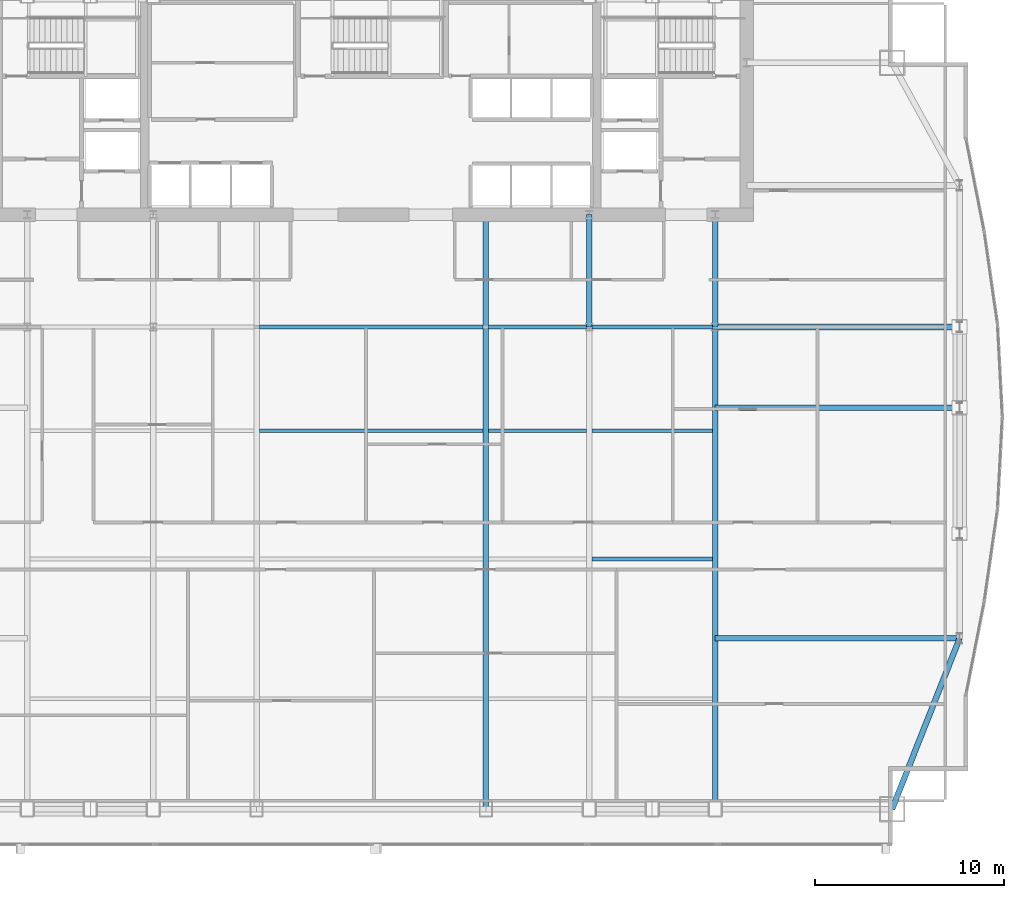
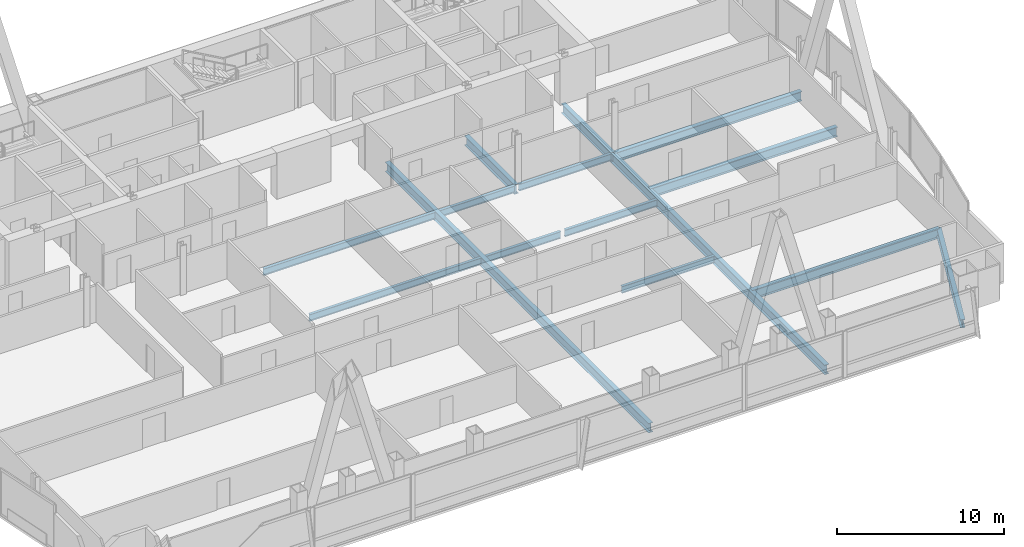
# One storey, part 17 of 31: 15 beams.
"""IFC4 building model written with IfcOpenShell, lengths in metres."""

from ifc_helpers import new_model, si_unit, direction, frame, origin, origin_2d, place, context, subcontext, project, spatial, i_section, extrude, material, material_profile, profile_set, type_object, element, save


model = new_model("IFC4")

# Units and contexts
model_context = context("Model", 3, precision=1e-05, world=origin(), true_north=direction((0.0, 1.0)))
body_context = subcontext(model_context, "Body", "Model", "MODEL_VIEW")
ifc_project = project(units=[si_unit("LENGTHUNIT", "METRE"), si_unit("AREAUNIT", "SQUARE_METRE"), si_unit("VOLUMEUNIT", "CUBIC_METRE"), si_unit("PLANEANGLEUNIT", "RADIAN"), si_unit("MASSUNIT", "GRAM", prefix="KILO")], contexts=[model_context])

# Site, building, storey
site_placement = place(None, origin())
site = spatial("IfcSite", under=ifc_project, at=site_placement, CompositionType="ELEMENT")
building_placement = place(site_placement, origin())
building = spatial("IfcBuilding", under=site, at=building_placement, Name="Khoronbel Lancet Exchange", CompositionType="ELEMENT")
storey_placement = place(building_placement, frame((0.0, 0.0, 168.60009765625)))
storey = spatial("IfcBuildingStorey", under=building, at=storey_placement, Name="L42", CompositionType="ELEMENT", Elevation=168.60009765625)

# Beams
ifc_material = material(Name="Steel S355", Category="steel")
ifc_material_profile_1 = material_profile(ifc_material, i_section(OverallWidth=0.300048828125, OverallDepth=0.699951171875, WebThickness=0.01708984375, FlangeThickness=0.031982421875, at=origin_2d()), Name="HEB 700")
ifc_profile_set_1 = profile_set([ifc_material_profile_1], Name="Steel S355")
beam_type_1 = type_object("IfcBeamType", Name="BM-BG3", PredefinedType="BEAM", material=ifc_profile_set_1)
beam_1_placement = place(storey_placement, frame((42.52490234375, 10.14990234375, -0.510009765625), z_axis=(0.0, 1.0, 0.0), x_axis=(-1.0, 0.0, 0.0)))
element("IfcBeam", 1, at=beam_1_placement, inside=storey, type_object=beam_type_1, Name="Level L42 primary floor girder G4", PredefinedType="BEAM", context=body_context, shape_type="SweptSolid", body=[
    extrude(i_section(OverallWidth=0.300048828125, OverallDepth=0.699951171875, WebThickness=0.01708984375, FlangeThickness=0.031982421875, at=origin_2d()), origin(), (0.0, 0.0, 1.0), 31.5),
])
beam_2_placement = place(storey_placement, frame((48.0, 35.699951171875, -0.510009765625), z_axis=(0.0, 1.0, 0.0), x_axis=(-1.0, 0.0, 0.0)))
element("IfcBeam", 2, at=beam_2_placement, inside=storey, type_object=beam_type_1, Name="Level L42 spine tie girder GN5", PredefinedType="BEAM", context=body_context, shape_type="SweptSolid", body=[
    extrude(i_section(OverallWidth=0.300048828125, OverallDepth=0.699951171875, WebThickness=0.01708984375, FlangeThickness=0.031982421875, at=origin_2d()), origin(), (0.0, 0.0, 1.0), 5.949951171875),
])
beam_3_placement = place(storey_placement, frame((54.675048828125, 10.14990234375, -0.510009765625), z_axis=(0.0, 1.0, 0.0), x_axis=(-1.0, 0.0, 0.0)))
element("IfcBeam", 3, at=beam_3_placement, inside=storey, type_object=beam_type_1, Name="Level L42 south primary girder GS6", PredefinedType="BEAM", context=body_context, shape_type="SweptSolid", body=[
    extrude(i_section(OverallWidth=0.300048828125, OverallDepth=0.699951171875, WebThickness=0.01708984375, FlangeThickness=0.031982421875, at=origin_2d()), origin(), (0.0, 0.0, 1.0), 25.550048828125),
])
beam_4_placement = place(storey_placement, frame((54.675048828125, 35.699951171875, -0.510009765625), z_axis=(0.0, 1.0, 0.0), x_axis=(-1.0, 0.0, 0.0)))
element("IfcBeam", 4, at=beam_4_placement, inside=storey, type_object=beam_type_1, Name="Level L42 spine tie girder GN6", PredefinedType="BEAM", context=body_context, shape_type="SweptSolid", body=[
    extrude(i_section(OverallWidth=0.300048828125, OverallDepth=0.699951171875, WebThickness=0.01708984375, FlangeThickness=0.031982421875, at=origin_2d()), origin(), (0.0, 0.0, 1.0), 5.949951171875),
])
for number, where, z_axis, x_axis, name in (
    (5, (54.675048828125, 19.199951171875, -0.510009765625), (1.0, 0.0, 0.0), (0.0, 1.0, 0.0), "Level L42 east lens tie girder LG1E"),
    (6, (54.675048828125, 31.425048828125, -0.510009765625), (1.0, 0.0, 0.0), (0.0, 1.0, 0.0), "Level L42 east lens tie girder LG2E"),
    (7, (54.675048828125, 35.699951171875, -0.510009765625), (1.0, 0.0, 0.0), (0.0, 1.0, 0.0), "Level L42 east lens tie girder LG4E"),
):
    element("IfcBeam", number, at=place(storey_placement, frame(where, z_axis=z_axis, x_axis=x_axis)), inside=storey, type_object=beam_type_1, Name=name, PredefinedType="BEAM", context=body_context, shape_type="SweptSolid", body=[
        extrude(i_section(OverallWidth=0.300048828125, OverallDepth=0.699951171875, WebThickness=0.01708984375, FlangeThickness=0.031982421875, at=origin_2d()), origin(), (0.0, 0.0, 1.0), 12.954833984375),
    ])
ifc_material_profile_2 = material_profile(ifc_material, i_section(OverallWidth=0.199951171875, OverallDepth=0.5, WebThickness=0.01025390625, FlangeThickness=0.01611328125, at=origin_2d()), Name="IPE 500")
ifc_profile_set_2 = profile_set([ifc_material_profile_2], Name="Steel S355")
beam_type_2 = type_object("IfcBeamType", Name="BM-BJ3", PredefinedType="JOIST", material=ifc_profile_set_2)
beam_5_placement = place(storey_placement, frame((48.14990234375, 23.39990234375, -0.41015625), z_axis=(1.0, 0.0, 0.0), x_axis=(0.0, 1.0, 0.0)))
element("IfcBeam", 8, at=beam_5_placement, inside=storey, type_object=beam_type_2, Name="Level L42 secondary composite joist J10", PredefinedType="JOIST", context=body_context, shape_type="SweptSolid", body=[
    extrude(i_section(OverallWidth=0.199951171875, OverallDepth=0.5, WebThickness=0.01025390625, FlangeThickness=0.01611328125, at=origin_2d()), origin(), (0.0, 0.0, 1.0), 6.375),
])
beam_6_placement = place(storey_placement, frame((30.52490234375, 30.199951171875, -0.41015625), z_axis=(1.0, 0.0, 0.0), x_axis=(0.0, 1.0, 0.0)))
element("IfcBeam", 9, at=beam_6_placement, inside=storey, type_object=beam_type_2, Name="Level L42 secondary composite joist J13", PredefinedType="JOIST", context=body_context, shape_type="SweptSolid", body=[
    extrude(i_section(OverallWidth=0.199951171875, OverallDepth=0.5, WebThickness=0.01025390625, FlangeThickness=0.01611328125, at=origin_2d()), origin(), (0.0, 0.0, 1.0), 11.85009765625),
])
beam_7_placement = place(storey_placement, frame((42.675048828125, 30.199951171875, -0.41015625), z_axis=(1.0, 0.0, 0.0), x_axis=(0.0, 1.0, 0.0)))
element("IfcBeam", 10, at=beam_7_placement, inside=storey, type_object=beam_type_2, Name="Level L42 secondary composite joist J14", PredefinedType="JOIST", context=body_context, shape_type="SweptSolid", body=[
    extrude(i_section(OverallWidth=0.199951171875, OverallDepth=0.5, WebThickness=0.01025390625, FlangeThickness=0.01611328125, at=origin_2d()), origin(), (0.0, 0.0, 1.0), 5.175048828125),
])
beam_8_placement = place(storey_placement, frame((48.14990234375, 30.199951171875, -0.41015625), z_axis=(1.0, 0.0, 0.0), x_axis=(0.0, 1.0, 0.0)))
element("IfcBeam", 11, at=beam_8_placement, inside=storey, type_object=beam_type_2, Name="Level L42 secondary composite joist J15", PredefinedType="JOIST", context=body_context, shape_type="SweptSolid", body=[
    extrude(i_section(OverallWidth=0.199951171875, OverallDepth=0.5, WebThickness=0.01025390625, FlangeThickness=0.01611328125, at=origin_2d()), origin(), (0.0, 0.0, 1.0), 6.375),
])
beam_9_placement = place(storey_placement, frame((30.52490234375, 35.699951171875, -0.41015625), z_axis=(1.0, 0.0, 0.0), x_axis=(0.0, 1.0, 0.0)))
element("IfcBeam", 12, at=beam_9_placement, inside=storey, type_object=beam_type_2, Name="Level L42 secondary composite joist J18", PredefinedType="JOIST", context=body_context, shape_type="SweptSolid", body=[
    extrude(i_section(OverallWidth=0.199951171875, OverallDepth=0.5, WebThickness=0.01025390625, FlangeThickness=0.01611328125, at=origin_2d()), origin(), (0.0, 0.0, 1.0), 11.85009765625),
])
beam_10_placement = place(storey_placement, frame((42.675048828125, 35.699951171875, -0.41015625), z_axis=(1.0, 0.0, 0.0), x_axis=(0.0, 1.0, 0.0)))
element("IfcBeam", 13, at=beam_10_placement, inside=storey, type_object=beam_type_2, Name="Level L42 secondary composite joist J19", PredefinedType="JOIST", context=body_context, shape_type="SweptSolid", body=[
    extrude(i_section(OverallWidth=0.199951171875, OverallDepth=0.5, WebThickness=0.01025390625, FlangeThickness=0.01611328125, at=origin_2d()), origin(), (0.0, 0.0, 1.0), 5.175048828125),
])
beam_11_placement = place(storey_placement, frame((48.14990234375, 35.699951171875, -0.41015625), z_axis=(1.0, 0.0, 0.0), x_axis=(0.0, 1.0, 0.0)))
element("IfcBeam", 14, at=beam_11_placement, inside=storey, type_object=beam_type_2, Name="Level L42 secondary composite joist J20", PredefinedType="JOIST", context=body_context, shape_type="SweptSolid", body=[
    extrude(i_section(OverallWidth=0.199951171875, OverallDepth=0.5, WebThickness=0.01025390625, FlangeThickness=0.01611328125, at=origin_2d()), origin(), (0.0, 0.0, 1.0), 6.375),
])
ifc_material_profile_3 = material_profile(ifc_material, i_section(OverallWidth=0.300048828125, OverallDepth=0.60009765625, WebThickness=0.015380859375, FlangeThickness=0.030029296875, at=origin_2d()), Name="HEB 600")
ifc_profile_set_3 = profile_set([ifc_material_profile_3], Name="Steel S355")
beam_type_3 = type_object("IfcBeamType", Name="BM-BSP2", PredefinedType="SPANDREL", material=ifc_profile_set_3)
beam_12_placement = place(storey_placement, frame((64.050048828125, 10.14990234375, -0.460205078125), z_axis=(0.367828403855, 0.929893684954, 0.0), x_axis=(-0.929893684954, 0.367828403855, 0.0)))
element("IfcBeam", 15, at=beam_12_placement, inside=storey, type_object=beam_type_3, Name="Level L42 perimeter spandrel beam SP10", PredefinedType="SPANDREL", context=body_context, shape_type="SweptSolid", body=[
    extrude(i_section(OverallWidth=0.300048828125, OverallDepth=0.60009765625, WebThickness=0.015380859375, FlangeThickness=0.030029296875, at=origin_2d()), origin(), (0.0, 0.0, 1.0), 9.732421875),
])

save(model, "model.ifc")
